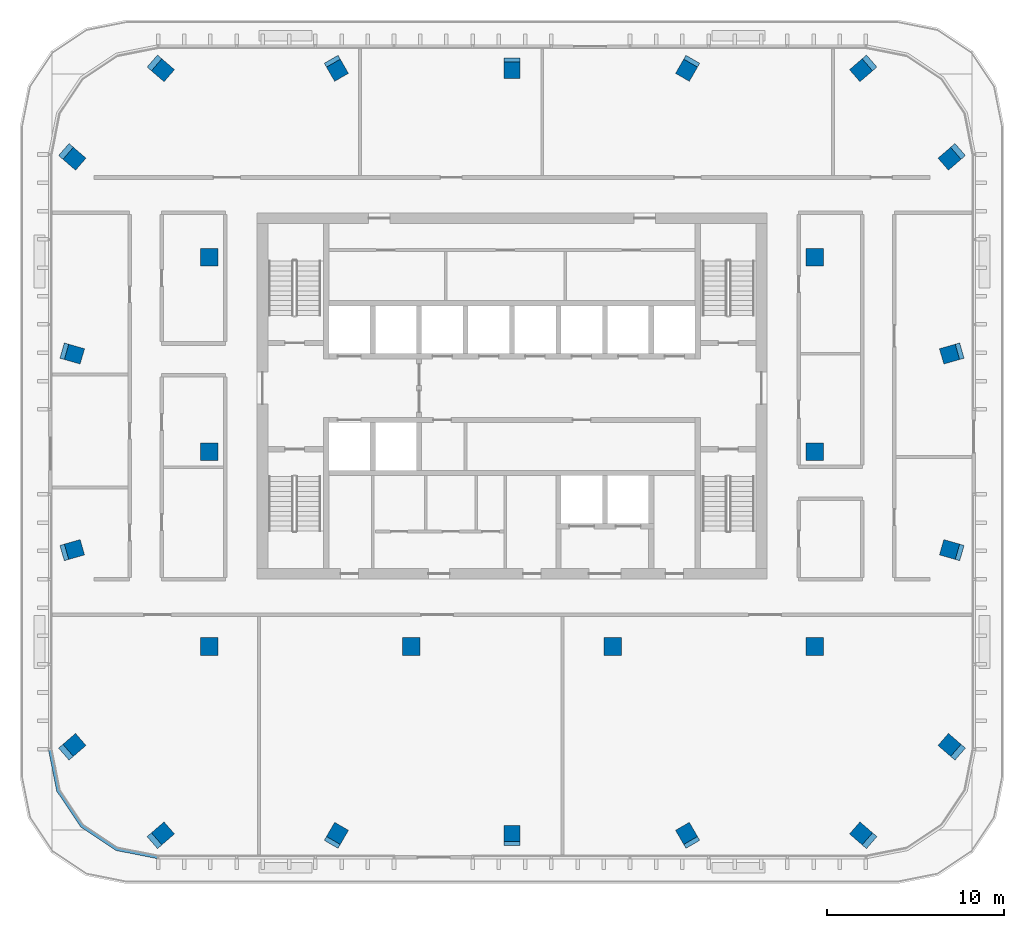
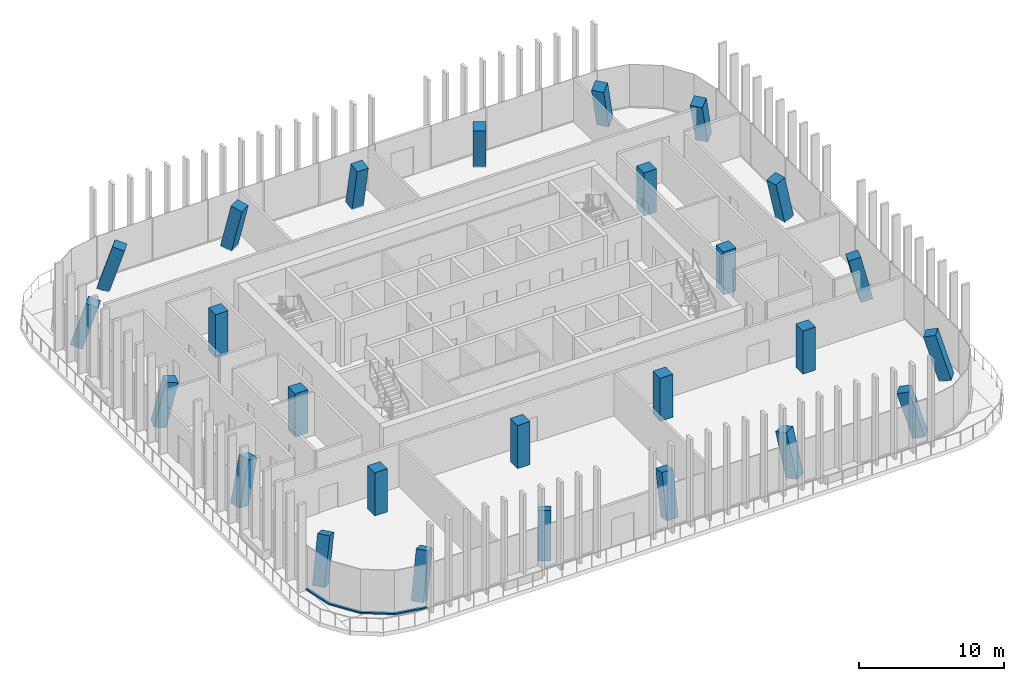
# One storey, part 1 of 15: 26 columns, 1 member, 1 element without a shape of its own.
"""IFC4 building model written with IfcOpenShell, lengths in metres."""

import ifcopenshell
import ifcopenshell.guid

model = None  # the IFC model being written
_history = None  # IfcOwnerHistory: only IFC2X3 demands one
_inside = {}  # id of a spatial element -> (the spatial element, [elements in it])
_under = {}  # id of a project, library or spatial element -> (it, [spatial elements below it])
_declared = {}  # id of a project -> (the project, [libraries it declares])
_typed = {}  # id of a type object -> (the type object, [elements of that type])
_made_of = {}  # id of a material, layer set ... -> (it, [elements and type objects made of it])


def new_model(schema):
    """Start an empty IFC model of exactly this schema.

    Asked for "IFC4X3", IfcOpenShell would pick the latest addendum, in which some entities
    have other attributes; the version numbers below select the first issue.
    IFC2X3 requires an IfcOwnerHistory on every rooted entity: one is made here for all.
    """
    global model, _history
    if schema == "IFC4X3":
        model = ifcopenshell.file(schema_version=(4, 3, 0, 0))
    else:
        model = ifcopenshell.file(schema=schema)
    _inside.clear()
    _under.clear()
    _declared.clear()
    _typed.clear()
    _made_of.clear()
    _history = None
    if model.schema == "IFC2X3":
        org = make("IfcOrganization", Name="unknown")
        user = make(
            "IfcPersonAndOrganization",
            ThePerson=make("IfcPerson", FamilyName="unknown"),
            TheOrganization=org,
        )
        app = make(
            "IfcApplication",
            ApplicationDeveloper=org,
            Version="unknown",
            ApplicationFullName="unknown",
            ApplicationIdentifier="unknown",
        )
        _history = make(
            "IfcOwnerHistory",
            OwningUser=user,
            OwningApplication=app,
            ChangeAction="ADDED",
            CreationDate=0,
        )
    return model


def make(cls, **values):
    """One entity of the class cls with the attributes given. An attribute that is None is left unset."""
    return model.create_entity(
        cls, **{name: value for name, value in values.items() if value is not None}
    )


def rooted(cls, **values):
    """An entity with a GlobalId (a new one), such as an element, a storey or a relation."""
    return make(cls, GlobalId=ifcopenshell.guid.new(), OwnerHistory=_history, **values)


def si_unit(unit_type, name, prefix=None):
    """IfcSIUnit, for example si_unit("LENGTHUNIT", "METRE", prefix="MILLI")."""
    return make("IfcSIUnit", UnitType=unit_type, Prefix=prefix, Name=name)


def assignment(units):
    """IfcUnitAssignment: the units of a project."""
    return None if units is None else make("IfcUnitAssignment", Units=units)


def point(xyz):
    """IfcCartesianPoint."""
    return None if xyz is None else make("IfcCartesianPoint", Coordinates=xyz)


def direction(xyz):
    """IfcDirection."""
    return None if xyz is None else make("IfcDirection", DirectionRatios=xyz)


def frame(location, z_axis=None, x_axis=None):
    """IfcAxis2Placement3D, a coordinate frame: its origin and axes. An axis left out is left unset."""
    return make(
        "IfcAxis2Placement3D",
        Location=point(location),
        Axis=direction(z_axis),
        RefDirection=direction(x_axis),
    )


def frame_2d(location, x_axis=None):
    """IfcAxis2Placement2D, a coordinate frame in the plane: its origin and x axis."""
    return make(
        "IfcAxis2Placement2D", Location=point(location), RefDirection=direction(x_axis)
    )


def origin():
    """The frame at (0, 0, 0) with its axes left unset."""
    return frame((0.0, 0.0, 0.0))


def origin_2d():
    """The frame at (0, 0) in the plane with its x axis left unset."""
    return frame_2d((0.0, 0.0))


def place(relative_to, where):
    """IfcLocalPlacement: puts the frame where relative to a parent placement (None: the world)."""
    return make(
        "IfcLocalPlacement", PlacementRelTo=relative_to, RelativePlacement=where
    )


def context(
    kind, dimensions, precision=None, world=None, true_north=None, identifier=None
):
    """IfcGeometricRepresentationContext, for example the 3D "Model" context."""
    return make(
        "IfcGeometricRepresentationContext",
        ContextIdentifier=identifier,
        ContextType=kind,
        CoordinateSpaceDimension=dimensions,
        Precision=precision,
        WorldCoordinateSystem=world,
        TrueNorth=true_north,
    )


def subcontext(parent, identifier, kind, view, scale=None):
    """IfcGeometricRepresentationSubContext, for example "Body" below "Model"."""
    return make(
        "IfcGeometricRepresentationSubContext",
        ContextIdentifier=identifier,
        ContextType=kind,
        ParentContext=parent,
        TargetScale=scale,
        TargetView=view,
    )


def project(units=None, contexts=None):
    """IfcProject with its units and contexts."""
    return rooted(
        "IfcProject",
        Name="project",
        RepresentationContexts=contexts,
        UnitsInContext=assignment(units),
    )


def spatial(cls, under=None, at=None, **own):
    """A site, building, storey or space (cls), placed at a placement, below another one or the project."""
    s = rooted(cls, ObjectPlacement=at, **own)
    if under is not None:
        _under.setdefault(under.id(), (under, []))[1].append(s)
    return s


def polyline(points):
    """IfcPolyline through the points."""
    return make("IfcPolyline", Points=[point(p) for p in points])


def profile(cls, at=None, kind="AREA", **sizes):
    """A parametric profile (cls). Its sizes go by their IFC names, for example OverallWidth=200.0."""
    return make(cls, ProfileType=kind, Position=at, **sizes)


def rectangle(**sizes):
    """IfcRectangleProfileDef."""
    return profile("IfcRectangleProfileDef", **sizes)


def outline(outer, holes=None, kind="AREA"):
    """IfcArbitraryClosedProfileDef: a profile drawn as a closed curve; with holes, ...WithVoids."""
    if holes is None:
        return make("IfcArbitraryClosedProfileDef", ProfileType=kind, OuterCurve=outer)
    return make(
        "IfcArbitraryProfileDefWithVoids",
        ProfileType=kind,
        OuterCurve=outer,
        InnerCurves=holes,
    )


def extrude(swept, where, along, depth):
    """IfcExtrudedAreaSolid: the profile swept, set in the frame where, extruded along a direction by depth."""
    return make(
        "IfcExtrudedAreaSolid",
        SweptArea=swept,
        Position=where,
        ExtrudedDirection=direction(along),
        Depth=depth,
    )


def shape(context_of_items, identifier, shape_type, items):
    """IfcShapeRepresentation: the items that make up one representation, for example the "Body"."""
    return make(
        "IfcShapeRepresentation",
        ContextOfItems=context_of_items,
        RepresentationIdentifier=identifier,
        RepresentationType=shape_type,
        Items=items,
    )


def material(Name=None, Category=None):
    """IfcMaterial."""
    return make("IfcMaterial", Name=Name, Category=Category)


def material_profile(
    of_material, cross_section, Name=None, Category=None, Priority=None
):
    """IfcMaterialProfile: a cross section and its material."""
    return make(
        "IfcMaterialProfile",
        Name=Name,
        Material=of_material,
        Profile=cross_section,
        Priority=Priority,
        Category=Category,
    )


def profile_set(profiles, Name=None, composite=None):
    """IfcMaterialProfileSet."""
    return make(
        "IfcMaterialProfileSet",
        Name=Name,
        MaterialProfiles=profiles,
        CompositeProfile=composite,
    )


def made_of(thing, what):
    """Note that an element or type object is made of a material, layer set ...; save() writes the relation."""
    if what is not None:
        _made_of.setdefault(what.id(), (what, []))[1].append(thing)
    return thing


def type_object(cls, material=None, **own):
    """A type object (cls), such as IfcWallType, which elements share."""
    return made_of(rooted(cls, **own), material)


def element(
    cls,
    number,
    at=None,
    inside=None,
    cuts=None,
    type_object=None,
    material=None,
    context=None,
    identifier="Body",
    shape_type=None,
    held_by="IfcProductDefinitionShape",
    body=None,
    shapes=None,
    **own,
):
    """One element of the class cls, such as IfcWall. Its Tag is "e" and its number.

    at: its placement. inside: the storey or other place that contains it. cuts: it is an
    opening in that element (IfcRelVoidsElement). A single representation is given by context,
    identifier, shape_type and body (its items); several are given by shapes. held_by: the class
    of the entity that holds the representations. save() writes the other relations.
    """
    e = rooted(cls, Tag="e%d" % number, ObjectPlacement=at, **own)
    if body is not None:
        shapes = [shape(context, identifier, shape_type, body)]
    if shapes is not None:
        e.Representation = make(held_by, Representations=shapes)
    if inside is not None:
        _inside.setdefault(inside.id(), (inside, []))[1].append(e)
    if cuts is not None:
        rooted(
            "IfcRelVoidsElement", RelatingBuildingElement=cuts, RelatedOpeningElement=e
        )
    if type_object is not None:
        _typed.setdefault(type_object.id(), (type_object, []))[1].append(e)
    return made_of(e, material)


def aggregate(whole, parts):
    """IfcRelAggregates: a whole, such as a stair, and the parts it consists of."""
    return rooted("IfcRelAggregates", RelatingObject=whole, RelatedObjects=parts)


def save(model, path):
    """Write the relations noted so far, then the file.

    IfcRelAggregates (storeys below a building ...), IfcRelContainedInSpatialStructure (elements
    in a storey), IfcRelDefinesByType, IfcRelAssociatesMaterial and IfcRelDeclares: one each for
    every whole, place, type object, material and project.
    """
    for whole, parts in _under.values():
        aggregate(whole, parts)
    for where, things in _inside.values():
        rooted(
            "IfcRelContainedInSpatialStructure",
            RelatedElements=things,
            RelatingStructure=where,
        )
    for kind, things in _typed.values():
        rooted("IfcRelDefinesByType", RelatedObjects=things, RelatingType=kind)
    for what, things in _made_of.values():
        rooted("IfcRelAssociatesMaterial", RelatedObjects=things, RelatingMaterial=what)
    for by, libraries in _declared.values():
        rooted("IfcRelDeclares", RelatingContext=by, RelatedDefinitions=libraries)
    model.write(path)


model = new_model("IFC4")

# Units and contexts
model_context = context("Model", 3, precision=1e-05, world=origin(), true_north=direction((0.0, 1.0)))
body_context = subcontext(model_context, "Body", "Model", "MODEL_VIEW")
ifc_project = project(units=[si_unit("LENGTHUNIT", "METRE"), si_unit("AREAUNIT", "SQUARE_METRE"), si_unit("VOLUMEUNIT", "CUBIC_METRE"), si_unit("PLANEANGLEUNIT", "RADIAN"), si_unit("MASSUNIT", "GRAM", prefix="KILO")], contexts=[model_context])

# Site, building, storey
site_placement = place(None, origin())
site = spatial("IfcSite", under=ifc_project, at=site_placement, CompositionType="ELEMENT")
building_placement = place(site_placement, origin())
building = spatial("IfcBuilding", under=site, at=building_placement, Name="Mopane Tessera Tower", CompositionType="ELEMENT")
storey_placement = place(building_placement, frame((0.0, 0.0, 329.39990234375)))
storey = spatial("IfcBuildingStorey", under=building, at=storey_placement, Name="L72", CompositionType="ELEMENT", Elevation=329.39990234375)

# Columns
ifc_material_1 = material(Name="Concrete C40/50", Category="concrete")
ifc_material_profile_1 = material_profile(ifc_material_1, rectangle(XDim=1.0, YDim=1.0, at=origin_2d()))
ifc_profile_set_1 = profile_set([ifc_material_profile_1], Name="Concrete C40/50")
column_type_1 = type_object("IfcColumnType", Name="Interior column 1000 x 1000 C40/50", PredefinedType="COLUMN", material=ifc_profile_set_1)
for number, where, z_axis, x_axis, name in (
    (1, (-17.10009765625, -11.0, 0.0), (0.0, 0.0, 1.0), (1.0, 0.0, 0.0), "Interior column I1A L72"),
    (2, (-17.10009765625, 0.0, 0.0), (0.0, 0.0, 1.0), (1.0, 0.0, 0.0), "Interior column I1B L72"),
    (3, (-17.10009765625, 11.0, 0.0), (0.0, 0.0, 1.0), (1.0, 0.0, 0.0), "Interior column I1C L72"),
    (4, (-5.699951171875, -11.0, 0.0), (0.0, 0.0, 1.0), (1.0, 0.0, 0.0), "Interior column I2A L72"),
    (5, (5.699951171875, -11.0, 0.0), (0.0, 0.0, 1.0), (1.0, 0.0, 0.0), "Interior column I3A L72"),
    (6, (17.10009765625, -11.0, 0.0), (0.0, 0.0, 1.0), (1.0, 0.0, 0.0), "Interior column I4A L72"),
    (7, (17.10009765625, 0.0, 0.0), (0.0, 0.0, 1.0), (1.0, 0.0, 0.0), "Interior column I4B L72"),
    (8, (17.10009765625, 11.0, 0.0), (0.0, 0.0, 1.0), (1.0, 0.0, 0.0), "Interior column I4C L72"),
):
    element("IfcColumn", number, at=place(storey_placement, frame(where, z_axis=z_axis, x_axis=x_axis)), inside=storey, type_object=column_type_1, Name=name, PredefinedType="COLUMN", context=body_context, shape_type="SweptSolid", body=[
        extrude(rectangle(XDim=1.0, YDim=1.0, at=origin_2d()), origin(), (0.0, 0.0, 1.0), 3.650146484375),
    ])
ifc_material_2 = material(Name="Concrete C40/50", Category="concrete")
ifc_material_profile_2 = material_profile(ifc_material_2, rectangle(XDim=0.89990234375, YDim=0.89990234375, at=origin_2d()))
ifc_profile_set_2 = profile_set([ifc_material_profile_2], Name="Concrete C40/50")
column_type_2 = type_object("IfcColumnType", Name="Ring column 900 x 900 C40/50", PredefinedType="COLUMN", material=ifc_profile_set_2)
column_1_placement = place(storey_placement, frame((-20.0, -21.800048828125, 0.0), z_axis=(0.221120003964, 0.191249294721, 0.956310436582), x_axis=(-0.654172229665, 0.756345618044, 0.0)))
element("IfcColumn", 9, at=column_1_placement, inside=storey, type_object=column_type_2, Name="Ring column S0 L72", PredefinedType="COLUMN", context=body_context, shape_type="SweptSolid", body=[
    extrude(rectangle(XDim=0.89990234375, YDim=0.89990234375, at=origin_2d()), origin(), (0.0, 0.0, 1.0), 3.81689453125),
])
column_2_placement = place(storey_placement, frame((-10.0, -21.800048828125, 0.0), z_axis=(0.112612491067, 0.194856104335, 0.974345690943), x_axis=(-0.8658093198, 0.500374081811, 0.0)))
element("IfcColumn", 10, at=column_2_placement, inside=storey, type_object=column_type_2, Name="Ring column S1 L72", PredefinedType="COLUMN", context=body_context, shape_type="SweptSolid", body=[
    extrude(rectangle(XDim=0.89990234375, YDim=0.89990234375, at=origin_2d()), origin(), (0.0, 0.0, 1.0), 3.746337890625),
])
column_3_placement = place(storey_placement, frame((0.0, -21.800048828125, 0.0), z_axis=(0.0, 0.196103522341, 0.980583198166), x_axis=(-1.0, 0.0, 0.0)))
element("IfcColumn", 11, at=column_3_placement, inside=storey, type_object=column_type_2, Name="Ring column S2 L72", PredefinedType="COLUMN", context=body_context, shape_type="SweptSolid", body=[
    extrude(rectangle(XDim=0.89990234375, YDim=0.89990234375, at=origin_2d()), origin(), (0.0, 0.0, 1.0), 3.722412109375),
])
column_4_placement = place(storey_placement, frame((10.0, -21.800048828125, 0.0), z_axis=(-0.112612491067, 0.194856104335, 0.974345690943), x_axis=(-0.8658093198, -0.500374081811, 0.0)))
element("IfcColumn", 12, at=column_4_placement, inside=storey, type_object=column_type_2, Name="Ring column S3 L72", PredefinedType="COLUMN", context=body_context, shape_type="SweptSolid", body=[
    extrude(rectangle(XDim=0.89990234375, YDim=0.89990234375, at=origin_2d()), origin(), (0.0, 0.0, 1.0), 3.746337890625),
])
for number, where, z_axis, x_axis, name in (
    (13, (20.0, -21.800048828125, 0.0), (-0.221120003964, 0.191249294721, 0.956310436582), (-0.654172229665, -0.756345618044, 0.0), "Ring column S4 L72"),
    (14, (25.0, -16.800048828125, 0.0), (-0.221120003964, 0.191249294721, 0.956310436582), (-0.654172229665, -0.756345618044, 0.0), "Ring column E0 L72"),
):
    element("IfcColumn", number, at=place(storey_placement, frame(where, z_axis=z_axis, x_axis=x_axis)), inside=storey, type_object=column_type_2, Name=name, PredefinedType="COLUMN", context=body_context, shape_type="SweptSolid", body=[
        extrude(rectangle(XDim=0.89990234375, YDim=0.89990234375, at=origin_2d()), origin(), (0.0, 0.0, 1.0), 3.81689453125),
    ])
for number, where, z_axis, x_axis, name in (
    (15, (25.0, -5.60009765625, 0.0), (-0.224804338338, 0.064833649211, 0.972244623227), (-0.277106372338, -0.960839246914, 0.0), "Ring column E1 L72"),
    (16, (25.0, 5.60009765625, 0.0), (-0.224804338338, -0.064833649211, 0.972244623227), (0.277106372338, -0.960839246914, 0.0), "Ring column E2 L72"),
):
    element("IfcColumn", number, at=place(storey_placement, frame(where, z_axis=z_axis, x_axis=x_axis)), inside=storey, type_object=column_type_2, Name=name, PredefinedType="COLUMN", context=body_context, shape_type="SweptSolid", body=[
        extrude(rectangle(XDim=0.89990234375, YDim=0.89990234375, at=origin_2d()), origin(), (0.0, 0.0, 1.0), 3.75439453125),
    ])
for number, where, z_axis, x_axis, name in (
    (17, (25.0, 16.800048828125, 0.0), (-0.221120003964, -0.191249294721, 0.956310436582), (0.654172229665, -0.756345618044, 0.0), "Ring column E3 L72"),
    (18, (20.0, 21.800048828125, 0.0), (-0.221120003964, -0.191249294721, 0.956310436582), (0.654172229665, -0.756345618044, 0.0), "Ring column N0 L72"),
):
    element("IfcColumn", number, at=place(storey_placement, frame(where, z_axis=z_axis, x_axis=x_axis)), inside=storey, type_object=column_type_2, Name=name, PredefinedType="COLUMN", context=body_context, shape_type="SweptSolid", body=[
        extrude(rectangle(XDim=0.89990234375, YDim=0.89990234375, at=origin_2d()), origin(), (0.0, 0.0, 1.0), 3.81689453125),
    ])
column_5_placement = place(storey_placement, frame((10.0, 21.800048828125, 0.0), z_axis=(-0.112612491067, -0.194856104335, 0.974345690943), x_axis=(0.8658093198, -0.500374081811, 0.0)))
element("IfcColumn", 19, at=column_5_placement, inside=storey, type_object=column_type_2, Name="Ring column N1 L72", PredefinedType="COLUMN", context=body_context, shape_type="SweptSolid", body=[
    extrude(rectangle(XDim=0.89990234375, YDim=0.89990234375, at=origin_2d()), origin(), (0.0, 0.0, 1.0), 3.746337890625),
])
column_6_placement = place(storey_placement, frame((0.0, 21.800048828125, 0.0), z_axis=(0.0, -0.196103522341, 0.980583198166), x_axis=(1.0, 0.0, 0.0)))
element("IfcColumn", 20, at=column_6_placement, inside=storey, type_object=column_type_2, Name="Ring column N2 L72", PredefinedType="COLUMN", context=body_context, shape_type="SweptSolid", body=[
    extrude(rectangle(XDim=0.89990234375, YDim=0.89990234375, at=origin_2d()), origin(), (0.0, 0.0, 1.0), 3.722412109375),
])
column_7_placement = place(storey_placement, frame((-10.0, 21.800048828125, 0.0), z_axis=(0.112612491067, -0.194856104335, 0.974345690943), x_axis=(0.8658093198, 0.500374081811, 0.0)))
element("IfcColumn", 21, at=column_7_placement, inside=storey, type_object=column_type_2, Name="Ring column N3 L72", PredefinedType="COLUMN", context=body_context, shape_type="SweptSolid", body=[
    extrude(rectangle(XDim=0.89990234375, YDim=0.89990234375, at=origin_2d()), origin(), (0.0, 0.0, 1.0), 3.746337890625),
])
for number, where, z_axis, x_axis, name in (
    (22, (-20.0, 21.800048828125, 0.0), (0.221120003964, -0.191249294721, 0.956310436582), (0.654172229665, 0.756345618044, 0.0), "Ring column N4 L72"),
    (23, (-25.0, 16.800048828125, 0.0), (0.221120003964, -0.191249294721, 0.956310436582), (0.654172229665, 0.756345618044, 0.0), "Ring column W0 L72"),
):
    element("IfcColumn", number, at=place(storey_placement, frame(where, z_axis=z_axis, x_axis=x_axis)), inside=storey, type_object=column_type_2, Name=name, PredefinedType="COLUMN", context=body_context, shape_type="SweptSolid", body=[
        extrude(rectangle(XDim=0.89990234375, YDim=0.89990234375, at=origin_2d()), origin(), (0.0, 0.0, 1.0), 3.81689453125),
    ])
for number, where, z_axis, x_axis, name in (
    (24, (-25.0, 5.60009765625, 0.0), (0.224804338338, -0.064833649211, 0.972244623227), (0.277106372338, 0.960839246914, 0.0), "Ring column W1 L72"),
    (25, (-25.0, -5.60009765625, 0.0), (0.224804338338, 0.064833649211, 0.972244623227), (-0.277106372338, 0.960839246914, 0.0), "Ring column W2 L72"),
):
    element("IfcColumn", number, at=place(storey_placement, frame(where, z_axis=z_axis, x_axis=x_axis)), inside=storey, type_object=column_type_2, Name=name, PredefinedType="COLUMN", context=body_context, shape_type="SweptSolid", body=[
        extrude(rectangle(XDim=0.89990234375, YDim=0.89990234375, at=origin_2d()), origin(), (0.0, 0.0, 1.0), 3.75439453125),
    ])
column_8_placement = place(storey_placement, frame((-25.0, -16.800048828125, 0.0), z_axis=(0.221120003964, 0.191249294721, 0.956310436582), x_axis=(-0.654172229665, 0.756345618044, 0.0)))
element("IfcColumn", 26, at=column_8_placement, inside=storey, type_object=column_type_2, Name="Ring column W3 L72", PredefinedType="COLUMN", context=body_context, shape_type="SweptSolid", body=[
    extrude(rectangle(XDim=0.89990234375, YDim=0.89990234375, at=origin_2d()), origin(), (0.0, 0.0, 1.0), 3.81689453125),
])

# Curtain wall, member
ifc_material_3 = material(Name="Aluminium frame", Category="aluminium")
curtain_wall_type = type_object("IfcCurtainWallType", Name="Unitised curtain wall", PredefinedType="NOTDEFINED", material=ifc_material_3)
curtain_wall_placement = place(storey_placement, origin())
curtain_wall = element("IfcCurtainWall", 27, at=curtain_wall_placement, inside=storey, type_object=curtain_wall_type, Name="e:cw:L72:CW", PredefinedType="NOTDEFINED")
ifc_material_4 = material(Name="Aluminium frame", Category="aluminium")
ifc_material_profile_3 = material_profile(ifc_material_4, rectangle(XDim=0.199951171875, YDim=0.1201171875, at=origin_2d()))
ifc_profile_set_3 = profile_set([ifc_material_profile_3], Name="Aluminium frame")
member_type = type_object("IfcMemberType", Name="Aluminium transom 200 x 120", PredefinedType="USERDEFINED", material=ifc_profile_set_3)
member_placement = place(storey_placement, origin())
member = element("IfcMember", 28, at=member_placement, type_object=member_type, Name="e:cw:L72:CW:tr", ObjectType="TRANSOM", PredefinedType="USERDEFINED", context=body_context, shape_type="SweptSolid", body=[
    extrude(outline(polyline([(-26.0, -16.800048828125), (-25.543212890625, -19.09619140625), (-24.24267578125, -21.042724609375), (-22.296142578125, -22.34326171875), (-20.0, -22.800048828125), (-20.0, -23.0), (-22.37255859375, -22.528076171875), (-24.384033203125, -21.18408203125), (-25.72802734375, -19.172607421875), (-26.199951171875, -16.800048828125), (-26.0, -16.800048828125)])), origin(), (0.0, 0.0, 1.0), 0.1201171875),
])
aggregate(curtain_wall, [member])

save(model, "model.ifc")
